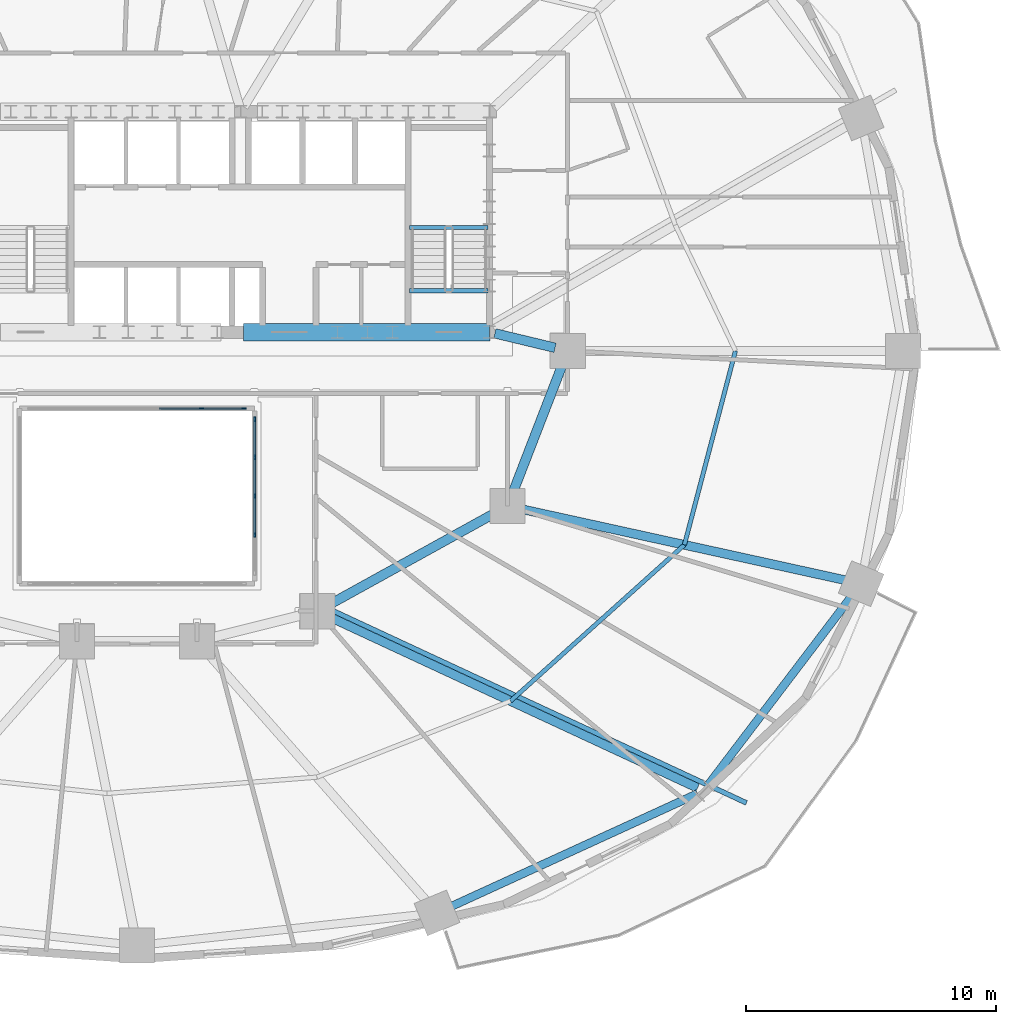
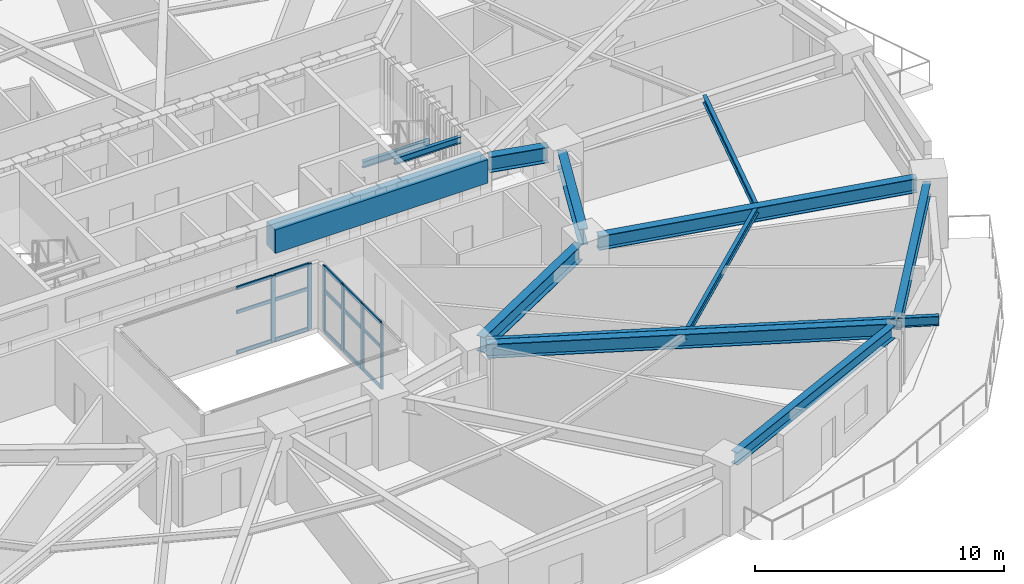
# One storey, part 6 of 18: 21 members, 13 beams, 2 elements without a shape of their own.
"""IFC4 building model written with IfcOpenShell, lengths in metres."""

from ifc_helpers import new_model, si_unit, direction, frame, origin, origin_2d, place, context, subcontext, project, spatial, rectangle, i_section, extrude, material, material_profile, profile_set, type_object, element, aggregate, save


model = new_model("IFC4")

# Units and contexts
model_context = context("Model", 3, precision=1e-05, world=origin(), true_north=direction((0.0, 1.0)))
body_context = subcontext(model_context, "Body", "Model", "MODEL_VIEW")
ifc_project = project(units=[si_unit("LENGTHUNIT", "METRE"), si_unit("AREAUNIT", "SQUARE_METRE"), si_unit("VOLUMEUNIT", "CUBIC_METRE"), si_unit("PLANEANGLEUNIT", "RADIAN"), si_unit("MASSUNIT", "GRAM", prefix="KILO")], contexts=[model_context])

# Site, building, storey
site_placement = place(None, origin())
site = spatial("IfcSite", under=ifc_project, at=site_placement, CompositionType="ELEMENT")
building_placement = place(site_placement, origin())
building = spatial("IfcBuilding", under=site, at=building_placement, Name="Haldorwick Loom Tower", CompositionType="ELEMENT")
storey_placement = place(building_placement, frame((0.0, 0.0, 48.14990234375)))
storey = spatial("IfcBuildingStorey", under=building, at=storey_placement, Name="L12", CompositionType="ELEMENT", Elevation=48.14990234375)

# Curtain wall, members
ifc_material_1 = material(Name="Thermally Broken Anodized Aluminium Curtain Wall Framing", Category="aluminium")
curtain_wall_type = type_object("IfcCurtainWallType", Name="ARC-CW-03", PredefinedType="NOTDEFINED", material=ifc_material_1)
curtain_wall_1_placement = place(storey_placement, origin())
curtain_wall_1 = element("IfcCurtainWall", 1, at=curtain_wall_1_placement, inside=storey, type_object=curtain_wall_type, Name="L12 Atrium Glazed Screen N", PredefinedType="NOTDEFINED")
ifc_material_profile_1 = material_profile(ifc_material_1, rectangle(XDim=0.06591796875, YDim=0.18505859375, at=origin_2d()), Name="ALU_MUL_66X185", Category="aluminium")
ifc_profile_set_1 = profile_set([ifc_material_profile_1], Name="Thermally Broken Anodized Aluminium Curtain Wall Framing")
member_type_1 = type_object("IfcMemberType", Name="ARC-CWM-03", PredefinedType="MULLION", material=ifc_profile_set_1)
member_1_placement = place(storey_placement, frame((38.580078125, 23.699951171875, 0.0), z_axis=(0.0, 0.0, 1.0), x_axis=(0.0, 1.0, 0.0)))
member_1 = element("IfcMember", 2, at=member_1_placement, type_object=member_type_1, Name="CW-03 mullion 5", PredefinedType="MULLION", context=body_context, shape_type="SweptSolid", body=[
    extrude(rectangle(XDim=0.06591796875, YDim=0.18505859375, at=origin_2d()), origin(), (0.0, 0.0, 1.0), 3.210205078125),
])
member_2_placement = place(storey_placement, frame((40.26708984375, 23.699951171875, 0.0), z_axis=(0.0, 0.0, 1.0), x_axis=(0.0, 1.0, 0.0)))
member_2 = element("IfcMember", 3, at=member_2_placement, type_object=member_type_1, Name="CW-03 mullion 6", PredefinedType="MULLION", context=body_context, shape_type="SweptSolid", body=[
    extrude(rectangle(XDim=0.06591796875, YDim=0.18505859375, at=origin_2d()), origin(), (0.0, 0.0, 1.0), 3.210205078125),
])

curtain_wall_2_placement = place(storey_placement, origin())
curtain_wall_2 = element("IfcCurtainWall", 4, at=curtain_wall_2_placement, inside=storey, type_object=curtain_wall_type, Name="L12 Atrium Glazed Screen E", PredefinedType="NOTDEFINED")
member_3_placement = place(storey_placement, frame((40.699951171875, 23.26708984375, 0.0), z_axis=(0.0, 0.0, 1.0), x_axis=(1.0, 0.0, 0.0)))
member_3 = element("IfcMember", 5, at=member_3_placement, type_object=member_type_1, Name="CW-03 mullion 1", PredefinedType="MULLION", context=body_context, shape_type="SweptSolid", body=[
    extrude(rectangle(XDim=0.06591796875, YDim=0.18505859375, at=origin_2d()), origin(), (0.0, 0.0, 1.0), 3.210205078125),
])
member_4_placement = place(storey_placement, frame((40.699951171875, 21.75, 0.0), z_axis=(0.0, 0.0, 1.0), x_axis=(1.0, 0.0, 0.0)))
member_4 = element("IfcMember", 6, at=member_4_placement, type_object=member_type_1, Name="CW-03 mullion 2", PredefinedType="MULLION", context=body_context, shape_type="SweptSolid", body=[
    extrude(rectangle(XDim=0.06591796875, YDim=0.18505859375, at=origin_2d()), origin(), (0.0, 0.0, 1.0), 3.210205078125),
])
member_5_placement = place(storey_placement, frame((40.699951171875, 20.199951171875, 0.0), z_axis=(0.0, 0.0, 1.0), x_axis=(1.0, 0.0, 0.0)))
member_5 = element("IfcMember", 7, at=member_5_placement, type_object=member_type_1, Name="CW-03 mullion 3", PredefinedType="MULLION", context=body_context, shape_type="SweptSolid", body=[
    extrude(rectangle(XDim=0.06591796875, YDim=0.18505859375, at=origin_2d()), origin(), (0.0, 0.0, 1.0), 3.210205078125),
])
member_6_placement = place(storey_placement, frame((40.699951171875, 18.64990234375, 0.0), z_axis=(0.0, 0.0, 1.0), x_axis=(1.0, 0.0, 0.0)))
member_6 = element("IfcMember", 8, at=member_6_placement, type_object=member_type_1, Name="CW-03 mullion 4", PredefinedType="MULLION", context=body_context, shape_type="SweptSolid", body=[
    extrude(rectangle(XDim=0.06591796875, YDim=0.18505859375, at=origin_2d()), origin(), (0.0, 0.0, 1.0), 3.210205078125),
])

# Member
ifc_material_profile_2 = material_profile(ifc_material_1, rectangle(XDim=0.06591796875, YDim=0.1650390625, at=origin_2d()), Name="ALU_TRN_66X165", Category="aluminium")
ifc_profile_set_2 = profile_set([ifc_material_profile_2], Name="Thermally Broken Anodized Aluminium Curtain Wall Framing")
member_type_2 = type_object("IfcMemberType", Name="ARC-CWT-03", PredefinedType="USERDEFINED", material=ifc_profile_set_2)
member_7_placement = place(storey_placement, frame((36.89306640625, 23.699951171875, 0.033203125), z_axis=(1.0, 0.0, 0.0), x_axis=(0.0, 1.0, 0.0)))
member_7 = element("IfcMember", 9, at=member_7_placement, type_object=member_type_2, Name="CW-03 transom 4.1", ObjectType="TRANSOM", PredefinedType="USERDEFINED", context=body_context, shape_type="SweptSolid", body=[
    extrude(rectangle(XDim=0.06591796875, YDim=0.1650390625, at=origin_2d()), origin(), (0.0, 0.0, 1.0), 1.654052734375),
])

member_8_placement = place(storey_placement, frame((36.89306640625, 23.699951171875, 2.0), z_axis=(1.0, 0.0, 0.0), x_axis=(0.0, 1.0, 0.0)))
member_8 = element("IfcMember", 10, at=member_8_placement, type_object=member_type_2, Name="CW-03 transom 4.2", ObjectType="TRANSOM", PredefinedType="USERDEFINED", context=body_context, shape_type="SweptSolid", body=[
    extrude(rectangle(XDim=0.06591796875, YDim=0.1650390625, at=origin_2d()), origin(), (0.0, 0.0, 1.0), 1.654052734375),
])

member_9_placement = place(storey_placement, frame((36.89306640625, 23.699951171875, 3.177001953125), z_axis=(1.0, 0.0, 0.0), x_axis=(0.0, 1.0, 0.0)))
member_9 = element("IfcMember", 11, at=member_9_placement, type_object=member_type_2, Name="CW-03 transom 4.3", ObjectType="TRANSOM", PredefinedType="USERDEFINED", context=body_context, shape_type="SweptSolid", body=[
    extrude(rectangle(XDim=0.06591796875, YDim=0.1650390625, at=origin_2d()), origin(), (0.0, 0.0, 1.0), 1.654052734375),
])

member_10_placement = place(storey_placement, frame((38.613037109375, 23.699951171875, 0.033203125), z_axis=(1.0, 0.0, 0.0), x_axis=(0.0, 1.0, 0.0)))
member_10 = element("IfcMember", 12, at=member_10_placement, type_object=member_type_2, Name="CW-03 transom 5.1", ObjectType="TRANSOM", PredefinedType="USERDEFINED", context=body_context, shape_type="SweptSolid", body=[
    extrude(rectangle(XDim=0.06591796875, YDim=0.1650390625, at=origin_2d()), origin(), (0.0, 0.0, 1.0), 1.620849609375),
])

member_11_placement = place(storey_placement, frame((38.613037109375, 23.699951171875, 2.0), z_axis=(1.0, 0.0, 0.0), x_axis=(0.0, 1.0, 0.0)))
member_11 = element("IfcMember", 13, at=member_11_placement, type_object=member_type_2, Name="CW-03 transom 5.2", ObjectType="TRANSOM", PredefinedType="USERDEFINED", context=body_context, shape_type="SweptSolid", body=[
    extrude(rectangle(XDim=0.06591796875, YDim=0.1650390625, at=origin_2d()), origin(), (0.0, 0.0, 1.0), 1.620849609375),
])

member_12_placement = place(storey_placement, frame((38.613037109375, 23.699951171875, 3.177001953125), z_axis=(1.0, 0.0, 0.0), x_axis=(0.0, 1.0, 0.0)))
member_12 = element("IfcMember", 14, at=member_12_placement, type_object=member_type_2, Name="CW-03 transom 5.3", ObjectType="TRANSOM", PredefinedType="USERDEFINED", context=body_context, shape_type="SweptSolid", body=[
    extrude(rectangle(XDim=0.06591796875, YDim=0.1650390625, at=origin_2d()), origin(), (0.0, 0.0, 1.0), 1.620849609375),
])

aggregate(curtain_wall_1, [member_1, member_2, member_7, member_8, member_9, member_10, member_11, member_12])

member_13_placement = place(storey_placement, frame((40.699951171875, 23.23388671875, 0.033203125), z_axis=(0.0, -1.0, 0.0), x_axis=(1.0, 0.0, 0.0)))
member_13 = element("IfcMember", 15, at=member_13_placement, type_object=member_type_2, Name="CW-03 transom 1.1", ObjectType="TRANSOM", PredefinedType="USERDEFINED", context=body_context, shape_type="SweptSolid", body=[
    extrude(rectangle(XDim=0.06591796875, YDim=0.1650390625, at=origin_2d()), origin(), (0.0, 0.0, 1.0), 1.450927734375),
])

member_14_placement = place(storey_placement, frame((40.699951171875, 23.23388671875, 2.0), z_axis=(0.0, -1.0, 0.0), x_axis=(1.0, 0.0, 0.0)))
member_14 = element("IfcMember", 16, at=member_14_placement, type_object=member_type_2, Name="CW-03 transom 1.2", ObjectType="TRANSOM", PredefinedType="USERDEFINED", context=body_context, shape_type="SweptSolid", body=[
    extrude(rectangle(XDim=0.06591796875, YDim=0.1650390625, at=origin_2d()), origin(), (0.0, 0.0, 1.0), 1.450927734375),
])

member_15_placement = place(storey_placement, frame((40.699951171875, 23.23388671875, 3.177001953125), z_axis=(0.0, -1.0, 0.0), x_axis=(1.0, 0.0, 0.0)))
member_15 = element("IfcMember", 17, at=member_15_placement, type_object=member_type_2, Name="CW-03 transom 1.3", ObjectType="TRANSOM", PredefinedType="USERDEFINED", context=body_context, shape_type="SweptSolid", body=[
    extrude(rectangle(XDim=0.06591796875, YDim=0.1650390625, at=origin_2d()), origin(), (0.0, 0.0, 1.0), 1.450927734375),
])

member_16_placement = place(storey_placement, frame((40.699951171875, 21.717041015625, 0.033203125), z_axis=(0.0, -1.0, 0.0), x_axis=(1.0, 0.0, 0.0)))
member_16 = element("IfcMember", 18, at=member_16_placement, type_object=member_type_2, Name="CW-03 transom 2.1", ObjectType="TRANSOM", PredefinedType="USERDEFINED", context=body_context, shape_type="SweptSolid", body=[
    extrude(rectangle(XDim=0.06591796875, YDim=0.1650390625, at=origin_2d()), origin(), (0.0, 0.0, 1.0), 1.484130859375),
])

member_17_placement = place(storey_placement, frame((40.699951171875, 21.717041015625, 2.0), z_axis=(0.0, -1.0, 0.0), x_axis=(1.0, 0.0, 0.0)))
member_17 = element("IfcMember", 19, at=member_17_placement, type_object=member_type_2, Name="CW-03 transom 2.2", ObjectType="TRANSOM", PredefinedType="USERDEFINED", context=body_context, shape_type="SweptSolid", body=[
    extrude(rectangle(XDim=0.06591796875, YDim=0.1650390625, at=origin_2d()), origin(), (0.0, 0.0, 1.0), 1.484130859375),
])

member_18_placement = place(storey_placement, frame((40.699951171875, 21.717041015625, 3.177001953125), z_axis=(0.0, -1.0, 0.0), x_axis=(1.0, 0.0, 0.0)))
member_18 = element("IfcMember", 20, at=member_18_placement, type_object=member_type_2, Name="CW-03 transom 2.3", ObjectType="TRANSOM", PredefinedType="USERDEFINED", context=body_context, shape_type="SweptSolid", body=[
    extrude(rectangle(XDim=0.06591796875, YDim=0.1650390625, at=origin_2d()), origin(), (0.0, 0.0, 1.0), 1.484130859375),
])

member_19_placement = place(storey_placement, frame((40.699951171875, 20.1669921875, 0.033203125), z_axis=(0.0, -1.0, 0.0), x_axis=(1.0, 0.0, 0.0)))
member_19 = element("IfcMember", 21, at=member_19_placement, type_object=member_type_2, Name="CW-03 transom 3.1", ObjectType="TRANSOM", PredefinedType="USERDEFINED", context=body_context, shape_type="SweptSolid", body=[
    extrude(rectangle(XDim=0.06591796875, YDim=0.1650390625, at=origin_2d()), origin(), (0.0, 0.0, 1.0), 1.48388671875),
])

member_20_placement = place(storey_placement, frame((40.699951171875, 20.1669921875, 2.0), z_axis=(0.0, -1.0, 0.0), x_axis=(1.0, 0.0, 0.0)))
member_20 = element("IfcMember", 22, at=member_20_placement, type_object=member_type_2, Name="CW-03 transom 3.2", ObjectType="TRANSOM", PredefinedType="USERDEFINED", context=body_context, shape_type="SweptSolid", body=[
    extrude(rectangle(XDim=0.06591796875, YDim=0.1650390625, at=origin_2d()), origin(), (0.0, 0.0, 1.0), 1.48388671875),
])

member_21_placement = place(storey_placement, frame((40.699951171875, 20.1669921875, 3.177001953125), z_axis=(0.0, -1.0, 0.0), x_axis=(1.0, 0.0, 0.0)))
member_21 = element("IfcMember", 23, at=member_21_placement, type_object=member_type_2, Name="CW-03 transom 3.3", ObjectType="TRANSOM", PredefinedType="USERDEFINED", context=body_context, shape_type="SweptSolid", body=[
    extrude(rectangle(XDim=0.06591796875, YDim=0.1650390625, at=origin_2d()), origin(), (0.0, 0.0, 1.0), 1.48388671875),
])

aggregate(curtain_wall_2, [member_3, member_4, member_5, member_6, member_13, member_14, member_15, member_16, member_17, member_18, member_19, member_20, member_21])

# Beams
ifc_material_2 = material(Name="Steel CSA G40.21 350W", Category="steel")
ifc_material_profile_3 = material_profile(ifc_material_2, i_section(OverallWidth=0.193115234375, OverallDepth=0.466064453125, WebThickness=0.011474609375, FlangeThickness=0.01904296875, at=origin_2d()), Name="W460X97", Category="steel")
ifc_profile_set_3 = profile_set([ifc_material_profile_3], Name="Steel CSA G40.21 350W")
beam_type_1 = type_object("IfcBeamType", Name="STR-BM-BAL460", PredefinedType="BEAM", material=ifc_profile_set_3)
beam_1_placement = place(storey_placement, frame((43.78955078125, 15.634765625, 2.97705078125), z_axis=(0.906835669686, -0.42148436292, 0.0), x_axis=(0.42148436292, 0.906835669686, 0.0)))
element("IfcBeam", 24, at=beam_1_placement, inside=storey, type_object=beam_type_1, Name="L12 Continuous Back-Spanned Balcony Beam 1", PredefinedType="BEAM", context=body_context, shape_type="SweptSolid", body=[
    extrude(i_section(OverallWidth=0.193115234375, OverallDepth=0.466064453125, WebThickness=0.011474609375, FlangeThickness=0.01904296875, at=origin_2d()), origin(), (0.0, 0.0, 1.0), 18.245361328125),
])
ifc_material_3 = material(Name="Concrete C60 (60 MPa)", Category="concrete")
ifc_material_profile_4 = material_profile(ifc_material_3, rectangle(XDim=0.699951171875, YDim=1.14990234375, at=origin_2d()), Name="RC700X1150", Category="concrete")
ifc_profile_set_4 = profile_set([ifc_material_profile_4], Name="Concrete C60 (60 MPa)")
beam_type_2 = type_object("IfcBeamType", Name="STR-BM-CB1150", PredefinedType="LINTEL", material=ifc_profile_set_4)
beam_2_placement = place(storey_placement, frame((40.25, 26.75, 2.635009765625), z_axis=(1.0, 0.0, 0.0), x_axis=(0.0, 1.0, 0.0)))
element("IfcBeam", 25, at=beam_2_placement, inside=storey, type_object=beam_type_2, Name="L12 Core Coupling Beam CB-S3", PredefinedType="LINTEL", context=body_context, shape_type="SweptSolid", body=[
    extrude(rectangle(XDim=0.699951171875, YDim=1.14990234375, at=origin_2d()), origin(), (0.0, 0.0, 1.0), 9.85009765625),
])
ifc_material_profile_5 = material_profile(ifc_material_2, i_section(OverallWidth=0.172119140625, OverallDepth=0.35791015625, WebThickness=0.0078125, FlangeThickness=0.01318359375, at=origin_2d()), Name="W360X57", Category="steel")
ifc_profile_set_5 = profile_set([ifc_material_profile_5], Name="Steel CSA G40.21 350W")
beam_type_3 = type_object("IfcBeamType", Name="STR-BM-J360", PredefinedType="JOIST", material=ifc_profile_set_5)
beam_3_placement = place(storey_placement, frame((50.9150390625, 12.01416015625, 3.031005859375), z_axis=(0.743981830112, 0.668199847698, 0.0), x_axis=(-0.668199847698, 0.743981830112, 0.0)))
element("IfcBeam", 26, at=beam_3_placement, inside=storey, type_object=beam_type_3, Name="L12 Mid-Bay Secondary Joist 15", PredefinedType="JOIST", context=body_context, shape_type="SweptSolid", body=[
    extrude(i_section(OverallWidth=0.172119140625, OverallDepth=0.35791015625, WebThickness=0.0078125, FlangeThickness=0.01318359375, at=origin_2d()), origin(), (0.0, 0.0, 1.0), 9.3330078125),
])
beam_4_placement = place(storey_placement, frame((57.858642578125, 18.25048828125, 3.031005859375), z_axis=(0.2544888003, 0.967075721193, 0.0), x_axis=(-0.967075721193, 0.2544888003, 0.0)))
element("IfcBeam", 27, at=beam_4_placement, inside=storey, type_object=beam_type_3, Name="L12 Mid-Bay Secondary Joist 16", PredefinedType="JOIST", context=body_context, shape_type="SweptSolid", body=[
    extrude(i_section(OverallWidth=0.172119140625, OverallDepth=0.35791015625, WebThickness=0.0078125, FlangeThickness=0.01318359375, at=origin_2d()), origin(), (0.0, 0.0, 1.0), 8.013427734375),
])
ifc_material_profile_6 = material_profile(ifc_material_2, i_section(OverallWidth=0.324951171875, OverallDepth=0.615966796875, WebThickness=0.013916015625, FlangeThickness=0.021484375, at=origin_2d()), Name="W610X174", Category="steel")
ifc_profile_set_6 = profile_set([ifc_material_profile_6], Name="Steel CSA G40.21 350W")
beam_type_4 = type_object("IfcBeamType", Name="STR-BM-SP610", PredefinedType="SPANDREL", material=ifc_profile_set_6)
beam_5_placement = place(storey_placement, frame((48.45068359375, 3.76611328125, 2.902099609375), z_axis=(0.909173805321, 0.416416848504, 0.0), x_axis=(-0.416416848504, 0.909173805321, 0.0)))
element("IfcBeam", 28, at=beam_5_placement, inside=storey, type_object=beam_type_4, Name="L12 Perimeter Spandrel 14", PredefinedType="SPANDREL", context=body_context, shape_type="SweptSolid", body=[
    extrude(i_section(OverallWidth=0.324951171875, OverallDepth=0.615966796875, WebThickness=0.013916015625, FlangeThickness=0.021484375, at=origin_2d()), origin(), (0.0, 0.0, 1.0), 10.92138671875),
])
beam_6_placement = place(storey_placement, frame((58.796630859375, 8.647216796875, 2.902099609375), z_axis=(0.605084557744, 0.796161213562, 0.0), x_axis=(-0.796161213562, 0.605084557744, 0.0)))
element("IfcBeam", 29, at=beam_6_placement, inside=storey, type_object=beam_type_4, Name="L12 Perimeter Spandrel 15", PredefinedType="SPANDREL", context=body_context, shape_type="SweptSolid", body=[
    extrude(i_section(OverallWidth=0.324951171875, OverallDepth=0.615966796875, WebThickness=0.013916015625, FlangeThickness=0.021484375, at=origin_2d()), origin(), (0.0, 0.0, 1.0), 9.595703125),
])
ifc_material_profile_7 = material_profile(ifc_material_2, i_section(OverallWidth=0.166015625, OverallDepth=0.31298828125, WebThickness=0.006591796875, FlangeThickness=0.01123046875, at=origin_2d()), Name="W310X45", Category="steel")
ifc_profile_set_7 = profile_set([ifc_material_profile_7], Name="Steel CSA G40.21 350W")
beam_type_5 = type_object("IfcBeamType", Name="STR-BM-STRM", PredefinedType="BEAM", material=ifc_profile_set_7)
for number, where, z_axis, x_axis, name in (
    (30, (46.889892578125, 28.39990234375, 3.0537109375), (1.0, 0.0, 0.0), (0.0, 1.0, 0.0), "L12 Stair ST-02 Landing Edge Trimmer"),
    (31, (46.889892578125, 30.919921875, 1.36865234375), (1.0, 0.0, 0.0), (0.0, 1.0, 0.0), "L12 Stair ST-02 Half-Landing Trimmer 1"),
):
    element("IfcBeam", number, at=place(storey_placement, frame(where, z_axis=z_axis, x_axis=x_axis)), inside=storey, type_object=beam_type_5, Name=name, PredefinedType="BEAM", context=body_context, shape_type="SweptSolid", body=[
        extrude(i_section(OverallWidth=0.166015625, OverallDepth=0.31298828125, WebThickness=0.006591796875, FlangeThickness=0.01123046875, at=origin_2d()), origin(), (0.0, 0.0, 1.0), 3.1201171875),
    ])
ifc_material_profile_8 = material_profile(ifc_material_2, i_section(OverallWidth=0.35498046875, OverallDepth=0.695068359375, WebThickness=0.015380859375, FlangeThickness=0.02490234375, at=origin_2d()), Name="W690X217", Category="steel")
ifc_profile_set_8 = profile_set([ifc_material_profile_8], Name="Steel CSA G40.21 350W")
beam_type_6 = type_object("IfcBeamType", Name="STR-BM-W690", PredefinedType="BEAM", material=ifc_profile_set_8)
beam_7_placement = place(storey_placement, frame((43.671630859375, 15.380859375, 2.862548828125), z_axis=(0.90683498532, -0.421485835349, 0.0), x_axis=(0.421485835349, 0.90683498532, 0.0)))
element("IfcBeam", 32, at=beam_7_placement, inside=storey, type_object=beam_type_6, Name="L12 Radial Floor Girder 15", PredefinedType="BEAM", context=body_context, shape_type="SweptSolid", body=[
    extrude(i_section(OverallWidth=0.35498046875, OverallDepth=0.695068359375, WebThickness=0.015380859375, FlangeThickness=0.02490234375, at=origin_2d()), origin(), (0.0, 0.0, 1.0), 16.220458984375),
])
beam_8_placement = place(storey_placement, frame((51.307861328125, 19.6884765625, 2.862548828125), z_axis=(0.976740159434, -0.214426353203, 0.0), x_axis=(0.214426353203, 0.976740159434, 0.0)))
element("IfcBeam", 33, at=beam_8_placement, inside=storey, type_object=beam_type_6, Name="L12 Radial Floor Girder 16", PredefinedType="BEAM", context=body_context, shape_type="SweptSolid", body=[
    extrude(i_section(OverallWidth=0.35498046875, OverallDepth=0.695068359375, WebThickness=0.015380859375, FlangeThickness=0.02490234375, at=origin_2d()), origin(), (0.0, 0.0, 1.0), 13.41357421875),
])
ifc_material_profile_9 = material_profile(ifc_material_2, i_section(OverallWidth=0.381103515625, OverallDepth=0.77294921875, WebThickness=0.0166015625, FlangeThickness=0.027587890625, at=origin_2d()), Name="W760X257", Category="steel")
ifc_profile_set_9 = profile_set([ifc_material_profile_9], Name="Steel CSA G40.21 350W")
beam_type_7 = type_object("IfcBeamType", Name="STR-BM-W760", PredefinedType="BEAM", material=ifc_profile_set_9)
beam_9_placement = place(storey_placement, frame((50.288818359375, 26.697509765625, 2.823486328125), z_axis=(0.97247055837, -0.233025777764, 0.0), x_axis=(0.233025777764, 0.97247055837, 0.0)))
element("IfcBeam", 34, at=beam_9_placement, inside=storey, type_object=beam_type_7, Name="L12 Inner Ring Girder 1", PredefinedType="BEAM", context=body_context, shape_type="SweptSolid", body=[
    extrude(i_section(OverallWidth=0.381103515625, OverallDepth=0.77294921875, WebThickness=0.0166015625, FlangeThickness=0.027587890625, at=origin_2d()), origin(), (0.0, 0.0, 1.0), 2.4736328125),
])
beam_10_placement = place(storey_placement, frame((53.01220703125, 25.51513671875, 2.823486328125), z_axis=(-0.360964792353, -0.93257944363, 0.0), x_axis=(0.93257944363, -0.360964792353, 0.0)))
element("IfcBeam", 35, at=beam_10_placement, inside=storey, type_object=beam_type_7, Name="L12 Inner Ring Girder 2", PredefinedType="BEAM", context=body_context, shape_type="SweptSolid", body=[
    extrude(i_section(OverallWidth=0.381103515625, OverallDepth=0.77294921875, WebThickness=0.0166015625, FlangeThickness=0.027587890625, at=origin_2d()), origin(), (0.0, 0.0, 1.0), 5.6083984375),
])
beam_11_placement = place(storey_placement, frame((50.344970703125, 19.548583984375, 2.823486328125), z_axis=(-0.875244382146, -0.483680960471, 0.0), x_axis=(0.483680960471, -0.875244382146, 0.0)))
element("IfcBeam", 36, at=beam_11_placement, inside=storey, type_object=beam_type_7, Name="L12 Inner Ring Girder 3", PredefinedType="BEAM", context=body_context, shape_type="SweptSolid", body=[
    extrude(i_section(OverallWidth=0.381103515625, OverallDepth=0.77294921875, WebThickness=0.0166015625, FlangeThickness=0.027587890625, at=origin_2d()), origin(), (0.0, 0.0, 1.0), 7.6435546875),
])

save(model, "model.ifc")
